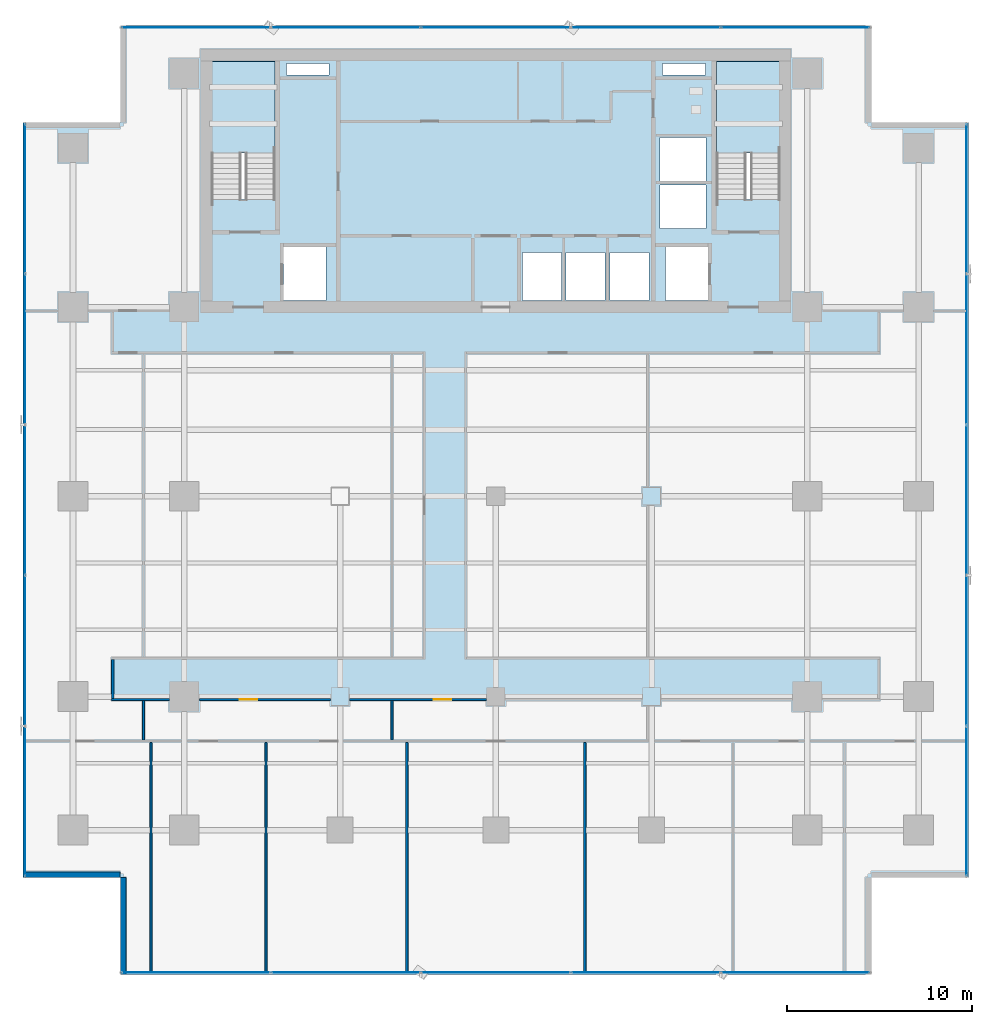
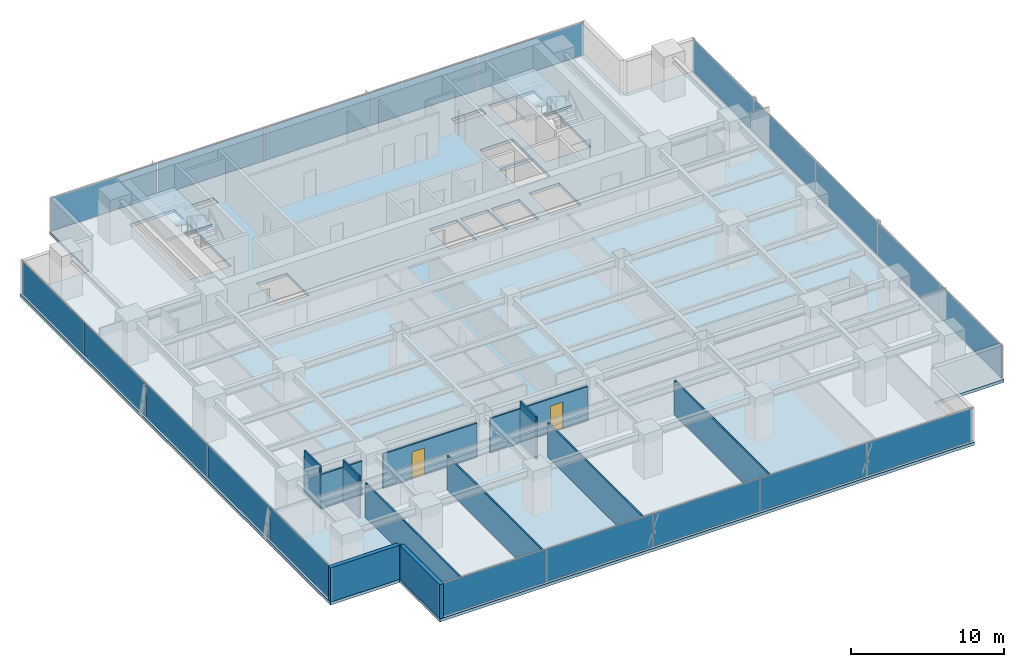
# One storey, part 27 of 37: 20 plates, 12 walls, 3 slabs, 2 doors, 2 openings, 6 elements without a shape of their own.
"""IFC4 building model written with IfcOpenShell, lengths in metres."""

from ifc_helpers import new_model, si_unit, direction, frame, frame_2d, origin, origin_2d, place, context, subcontext, project, spatial, polyline, rectangle, outline, extrude, source, transform, mapped, material, layer, layer_set, type_object, element, fill, aggregate, save


model = new_model("IFC4")

# Units and contexts
model_context = context("Model", 3, precision=1e-05, world=origin(), true_north=direction((0.0, 1.0)))
body_context = subcontext(model_context, "Body", "Model", "MODEL_VIEW")
ifc_project = project(units=[si_unit("LENGTHUNIT", "METRE"), si_unit("AREAUNIT", "SQUARE_METRE"), si_unit("VOLUMEUNIT", "CUBIC_METRE"), si_unit("PLANEANGLEUNIT", "RADIAN"), si_unit("MASSUNIT", "GRAM", prefix="KILO")], contexts=[model_context])

# Site, building, storey
site_placement = place(None, origin())
site = spatial("IfcSite", under=ifc_project, at=site_placement, CompositionType="ELEMENT")
building_placement = place(site_placement, origin())
building = spatial("IfcBuilding", under=site, at=building_placement, Name="Sumidabori Civic Tower", CompositionType="ELEMENT")
storey_placement = place(building_placement, frame((0.0, 0.0, 88.39990234375)))
storey = spatial("IfcBuildingStorey", under=building, at=storey_placement, Name="L22", CompositionType="ELEMENT", Elevation=88.39990234375)

# Stair, slab
ifc_material_1 = material(Name="Concrete C40/50", Category="concrete")
stair_type = type_object("IfcStairType", Name="ST-CORE-1600", PredefinedType="HALF_TURN_STAIR", material=ifc_material_1)
stair_1_placement = place(storey_placement, origin())
stair_1 = element("IfcStair", 1, at=stair_1_placement, inside=storey, type_object=stair_type, Name="L22 ST-1", PredefinedType="HALF_TURN_STAIR")
ifc_layer_1 = layer(ifc_material_1, 0.199951171875, Name="Concrete C40/50")
ifc_layer_set_1 = layer_set([ifc_layer_1], Name="Concrete C40/50")
slab_type_1 = type_object("IfcSlabType", Name="SL-LAND-200", PredefinedType="LANDING", material=ifc_layer_set_1)
slab_1_placement = place(storey_placement, frame((0.0, 0.0, 1.60009765625)))
slab_1 = element("IfcSlab", 2, at=slab_1_placement, type_object=slab_type_1, Name="ST-1 landing 1", PredefinedType="LANDING", context=body_context, shape_type="SweptSolid", body=[
    extrude(outline(polyline([(-11.89990234375, 18.52001953125), (-11.89990234375, 23.449951171875), (-15.340087890625, 23.449951171875), (-15.340087890625, 18.52001953125), (-11.89990234375, 18.52001953125)])), origin(), (0.0, 0.0, 1.0), 0.199951171875),
])
aggregate(stair_1, [slab_1])

stair_2_placement = place(storey_placement, origin())
stair_2 = element("IfcStair", 3, at=stair_2_placement, inside=storey, type_object=stair_type, Name="L22 ST-2", PredefinedType="HALF_TURN_STAIR")
slab_2_placement = place(storey_placement, frame((0.0, 0.0, 1.60009765625)))
slab_2 = element("IfcSlab", 4, at=slab_2_placement, type_object=slab_type_1, Name="ST-2 landing 1", PredefinedType="LANDING", context=body_context, shape_type="SweptSolid", body=[
    extrude(outline(polyline([(15.340087890625, 18.52001953125), (15.340087890625, 23.449951171875), (11.89990234375, 23.449951171875), (11.89990234375, 18.52001953125), (15.340087890625, 18.52001953125)])), origin(), (0.0, 0.0, 1.0), 0.199951171875),
])
aggregate(stair_2, [slab_2])

# Slab
ifc_layer_2 = layer(ifc_material_1, 0.239990234375, Name="Concrete C40/50")
ifc_layer_set_2 = layer_set([ifc_layer_2], Name="Concrete C40/50")
slab_type_2 = type_object("IfcSlabType", Name="SL-Z1-240", PredefinedType="FLOOR", material=ifc_layer_set_2)
slab_3_placement = place(storey_placement, frame((0.0, 0.0, -0.239990234375)))
element("IfcSlab", 5, at=slab_3_placement, inside=storey, type_object=slab_type_2, Name="Structural Slab L22", PredefinedType="FLOOR", context=body_context, shape_type="SweptSolid", body=[
    extrude(outline(polyline([(-20.25, -25.800048828125), (20.25, -25.800048828125), (20.25, -20.550048828125), (25.5, -20.550048828125), (25.5, 20.14990234375), (20.25, 20.14990234375), (20.25, 25.39990234375), (-20.25, 25.39990234375), (-20.25, 20.14990234375), (-25.5, 20.14990234375), (-25.5, -20.550048828125), (-20.25, -20.550048828125), (-20.25, -25.800048828125)]), holes=[polyline([(-11.89990234375, 16.0), (-11.89990234375, 23.449951171875), (-15.340087890625, 23.449951171875), (-15.340087890625, 16.0), (-11.89990234375, 16.0)]), polyline([(15.340087890625, 16.0), (15.340087890625, 23.449951171875), (11.89990234375, 23.449951171875), (11.89990234375, 16.0), (15.340087890625, 16.0)]), polyline([(-11.449951171875, 10.550048828125), (-9.14990234375, 10.550048828125), (-9.14990234375, 13.449951171875), (-11.449951171875, 13.449951171875), (-11.449951171875, 10.550048828125)]), polyline([(9.14990234375, 10.550048828125), (11.449951171875, 10.550048828125), (11.449951171875, 13.449951171875), (9.14990234375, 13.449951171875), (9.14990234375, 10.550048828125)]), polyline([(1.449951171875, 10.550048828125), (3.550048828125, 10.550048828125), (3.550048828125, 13.14990234375), (1.449951171875, 13.14990234375), (1.449951171875, 10.550048828125)]), polyline([(3.800048828125, 10.550048828125), (5.89990234375, 10.550048828125), (5.89990234375, 13.14990234375), (3.800048828125, 13.14990234375), (3.800048828125, 10.550048828125)]), polyline([(6.14990234375, 10.550048828125), (8.25, 10.550048828125), (8.25, 13.14990234375), (6.14990234375, 13.14990234375), (6.14990234375, 10.550048828125)]), polyline([(8.85009765625, 14.449951171875), (11.35009765625, 14.449951171875), (11.35009765625, 16.800048828125), (8.85009765625, 16.800048828125), (8.85009765625, 14.449951171875)]), polyline([(8.85009765625, 17.0), (11.35009765625, 17.0), (11.35009765625, 19.35009765625), (8.85009765625, 19.35009765625), (8.85009765625, 17.0)]), polyline([(-11.300048828125, 22.719970703125), (-9.0, 22.719970703125), (-9.0, 23.35009765625), (-11.300048828125, 23.35009765625), (-11.300048828125, 22.719970703125)]), polyline([(9.0, 22.719970703125), (11.300048828125, 22.719970703125), (11.300048828125, 23.35009765625), (9.0, 23.35009765625), (9.0, 22.719970703125)])]), origin(), (0.0, 0.0, 1.0), 0.239990234375),
])

# Curtain wall, plates
ifc_material_2 = material(Name="Anodised Bronze Aluminium AW-6063-T6", Category="aluminium")
ifc_layer_3 = layer(ifc_material_2, 0.179931640625, Name="Anodised Bronze Aluminium AW-6063-T6")
ifc_layer_set_3 = layer_set([ifc_layer_3], Name="Anodised Bronze Aluminium AW-6063-T6")
curtain_wall_type = type_object("IfcCurtainWallType", Name="CW-SYS-3", PredefinedType="NOTDEFINED", material=ifc_layer_set_3)
curtain_wall_1_placement = place(storey_placement, origin())
curtain_wall_1 = element("IfcCurtainWall", 6, at=curtain_wall_1_placement, inside=storey, type_object=curtain_wall_type, Name="Curtain Wall CW:L22:R01", PredefinedType="NOTDEFINED")
ifc_material_3 = material(Name="Low-E Solar-Control Vision Glazing", Category="glass")
ifc_layer_4 = layer(ifc_material_3, 0.028076171875, Name="Low-E Solar-Control Vision Glazing")
ifc_layer_set_4 = layer_set([ifc_layer_4], Name="Low-E Solar-Control Vision Glazing")
plate_type = type_object("IfcPlateType", Name="CW-PNL-28", PredefinedType="CURTAIN_PANEL", material=ifc_layer_set_4)
shared_shape_1 = source(origin(), body_context, "Body", "SweptSolid", [
    extrude(rectangle(XDim=7.990478515625, YDim=0.028076171875, at=origin_2d()), origin(), (0.0, 0.0, 1.0), 2.6201171875),
])
plate_1_placement = place(storey_placement, frame((-16.15966796875, -25.679931640625, 0.06005859375), z_axis=(0.0, 0.0, 1.0), x_axis=(1.0, 0.0, 0.0)))
plate_1 = element("IfcPlate", 7, at=plate_1_placement, type_object=plate_type, Name="CW-3 panel 1.1", PredefinedType="CURTAIN_PANEL", context=body_context, shape_type="MappedRepresentation", body=[
    mapped(shared_shape_1, transform((0.0, 0.0, 0.0), x_axis=(1.0, 0.0, 0.0), y_axis=(0.0, 1.0, 0.0), z_axis=(0.0, 0.0, 1.0), scale=1.0)),
])
plate_2_placement = place(storey_placement, frame((16.15966796875, -25.679931640625, 0.06005859375), z_axis=(0.0, 0.0, 1.0), x_axis=(1.0, 0.0, 0.0)))
plate_2 = element("IfcPlate", 8, at=plate_2_placement, type_object=plate_type, Name="CW-3 panel 5.1", PredefinedType="CURTAIN_PANEL", context=body_context, shape_type="MappedRepresentation", body=[
    mapped(shared_shape_1, transform((0.0, 0.0, 0.0), x_axis=(1.0, 0.0, 0.0), y_axis=(0.0, 1.0, 0.0), z_axis=(0.0, 0.0, 1.0), scale=1.0)),
])

curtain_wall_2_placement = place(storey_placement, origin())
curtain_wall_2 = element("IfcCurtainWall", 9, at=curtain_wall_2_placement, inside=storey, type_object=curtain_wall_type, Name="Curtain Wall CW:L22:R07", PredefinedType="NOTDEFINED")
plate_3_placement = place(storey_placement, frame((16.15966796875, 25.280029296875, 0.06005859375), z_axis=(0.0, 0.0, 1.0), x_axis=(-1.0, 0.0, 0.0)))
plate_3 = element("IfcPlate", 10, at=plate_3_placement, type_object=plate_type, Name="CW-3 panel 1.1", PredefinedType="CURTAIN_PANEL", context=body_context, shape_type="MappedRepresentation", body=[
    mapped(shared_shape_1, transform((0.0, 0.0, 0.0), x_axis=(1.0, 0.0, 0.0), y_axis=(0.0, 1.0, 0.0), z_axis=(0.0, 0.0, 1.0), scale=1.0)),
])
plate_4_placement = place(storey_placement, frame((-16.15966796875, 25.280029296875, 0.06005859375), z_axis=(0.0, 0.0, 1.0), x_axis=(-1.0, 0.0, 0.0)))
plate_4 = element("IfcPlate", 11, at=plate_4_placement, type_object=plate_type, Name="CW-3 panel 5.1", PredefinedType="CURTAIN_PANEL", context=body_context, shape_type="MappedRepresentation", body=[
    mapped(shared_shape_1, transform((0.0, 0.0, 0.0), x_axis=(1.0, 0.0, 0.0), y_axis=(0.0, 1.0, 0.0), z_axis=(0.0, 0.0, 1.0), scale=1.0)),
])

# Plate
shared_shape_2 = source(origin(), body_context, "Body", "SweptSolid", [
    extrude(rectangle(XDim=8.02294921875, YDim=0.028076171875, at=origin_2d()), origin(), (0.0, 0.0, 1.0), 2.6201171875),
])
plate_5_placement = place(storey_placement, frame((-8.087890625, -25.679931640625, 0.06005859375), z_axis=(0.0, 0.0, 1.0), x_axis=(1.0, 0.0, 0.0)))
plate_5 = element("IfcPlate", 12, at=plate_5_placement, type_object=plate_type, Name="CW-3 panel 2.1", PredefinedType="CURTAIN_PANEL", context=body_context, shape_type="MappedRepresentation", body=[
    mapped(shared_shape_2, transform((0.0, 0.0, 0.0), x_axis=(1.0, 0.0, 0.0), y_axis=(0.0, 1.0, 0.0), z_axis=(0.0, 0.0, 1.0), scale=1.0)),
])

plate_6_placement = place(storey_placement, frame((0.0, -25.679931640625, 0.06005859375), z_axis=(0.0, 0.0, 1.0), x_axis=(1.0, 0.0, 0.0)))
plate_6 = element("IfcPlate", 13, at=plate_6_placement, type_object=plate_type, Name="CW-3 panel 3.1", PredefinedType="CURTAIN_PANEL", context=body_context, shape_type="MappedRepresentation", body=[
    mapped(shared_shape_2, transform((0.0, 0.0, 0.0), x_axis=(1.0, 0.0, 0.0), y_axis=(0.0, 1.0, 0.0), z_axis=(0.0, 0.0, 1.0), scale=1.0)),
])

plate_7_placement = place(storey_placement, frame((8.087890625, -25.679931640625, 0.06005859375), z_axis=(0.0, 0.0, 1.0), x_axis=(1.0, 0.0, 0.0)))
plate_7 = element("IfcPlate", 14, at=plate_7_placement, type_object=plate_type, Name="CW-3 panel 4.1", PredefinedType="CURTAIN_PANEL", context=body_context, shape_type="MappedRepresentation", body=[
    mapped(shared_shape_2, transform((0.0, 0.0, 0.0), x_axis=(1.0, 0.0, 0.0), y_axis=(0.0, 1.0, 0.0), z_axis=(0.0, 0.0, 1.0), scale=1.0)),
])

aggregate(curtain_wall_1, [plate_1, plate_5, plate_6, plate_7, plate_2])

plate_8_placement = place(storey_placement, frame((8.087890625, 25.280029296875, 0.06005859375), z_axis=(0.0, 0.0, 1.0), x_axis=(-1.0, 0.0, 0.0)))
plate_8 = element("IfcPlate", 15, at=plate_8_placement, type_object=plate_type, Name="CW-3 panel 2.1", PredefinedType="CURTAIN_PANEL", context=body_context, shape_type="MappedRepresentation", body=[
    mapped(shared_shape_2, transform((0.0, 0.0, 0.0), x_axis=(1.0, 0.0, 0.0), y_axis=(0.0, 1.0, 0.0), z_axis=(0.0, 0.0, 1.0), scale=1.0)),
])

plate_9_placement = place(storey_placement, frame((0.0, 25.280029296875, 0.06005859375), z_axis=(0.0, 0.0, 1.0), x_axis=(-1.0, 0.0, 0.0)))
plate_9 = element("IfcPlate", 16, at=plate_9_placement, type_object=plate_type, Name="CW-3 panel 3.1", PredefinedType="CURTAIN_PANEL", context=body_context, shape_type="MappedRepresentation", body=[
    mapped(shared_shape_2, transform((0.0, 0.0, 0.0), x_axis=(1.0, 0.0, 0.0), y_axis=(0.0, 1.0, 0.0), z_axis=(0.0, 0.0, 1.0), scale=1.0)),
])

plate_10_placement = place(storey_placement, frame((-8.087890625, 25.280029296875, 0.06005859375), z_axis=(0.0, 0.0, 1.0), x_axis=(-1.0, 0.0, 0.0)))
plate_10 = element("IfcPlate", 17, at=plate_10_placement, type_object=plate_type, Name="CW-3 panel 4.1", PredefinedType="CURTAIN_PANEL", context=body_context, shape_type="MappedRepresentation", body=[
    mapped(shared_shape_2, transform((0.0, 0.0, 0.0), x_axis=(1.0, 0.0, 0.0), y_axis=(0.0, 1.0, 0.0), z_axis=(0.0, 0.0, 1.0), scale=1.0)),
])

aggregate(curtain_wall_2, [plate_3, plate_8, plate_9, plate_10, plate_4])

# Curtain wall, plates
curtain_wall_3_placement = place(storey_placement, origin())
curtain_wall_3 = element("IfcCurtainWall", 18, at=curtain_wall_3_placement, inside=storey, type_object=curtain_wall_type, Name="Curtain Wall CW:L22:R04", PredefinedType="NOTDEFINED")
shared_shape_3 = source(origin(), body_context, "Body", "SweptSolid", [
    extrude(rectangle(XDim=8.030517578125, YDim=0.028076171875, at=origin_2d()), origin(), (0.0, 0.0, 1.0), 2.6201171875),
])
plate_11_placement = place(storey_placement, frame((25.3798828125, -16.439697265625, 0.06005859375), z_axis=(0.0, 0.0, 1.0), x_axis=(0.0, 1.0, 0.0)))
plate_11 = element("IfcPlate", 19, at=plate_11_placement, type_object=plate_type, Name="CW-3 panel 1.1", PredefinedType="CURTAIN_PANEL", context=body_context, shape_type="MappedRepresentation", body=[
    mapped(shared_shape_3, transform((0.0, 0.0, 0.0), x_axis=(1.0, 0.0, 0.0), y_axis=(0.0, 1.0, 0.0), z_axis=(0.0, 0.0, 1.0), scale=1.0)),
])
plate_12_placement = place(storey_placement, frame((25.3798828125, 16.039794921875, 0.06005859375), z_axis=(0.0, 0.0, 1.0), x_axis=(0.0, 1.0, 0.0)))
plate_12 = element("IfcPlate", 20, at=plate_12_placement, type_object=plate_type, Name="CW-3 panel 5.1", PredefinedType="CURTAIN_PANEL", context=body_context, shape_type="MappedRepresentation", body=[
    mapped(shared_shape_3, transform((0.0, 0.0, 0.0), x_axis=(1.0, 0.0, 0.0), y_axis=(0.0, 1.0, 0.0), z_axis=(0.0, 0.0, 1.0), scale=1.0)),
])

curtain_wall_4_placement = place(storey_placement, origin())
curtain_wall_4 = element("IfcCurtainWall", 21, at=curtain_wall_4_placement, inside=storey, type_object=curtain_wall_type, Name="Curtain Wall CW:L22:R10", PredefinedType="NOTDEFINED")
plate_13_placement = place(storey_placement, frame((-25.3798828125, 16.039794921875, 0.06005859375), z_axis=(0.0, 0.0, 1.0), x_axis=(0.0, -1.0, 0.0)))
plate_13 = element("IfcPlate", 22, at=plate_13_placement, type_object=plate_type, Name="CW-3 panel 1.1", PredefinedType="CURTAIN_PANEL", context=body_context, shape_type="MappedRepresentation", body=[
    mapped(shared_shape_3, transform((0.0, 0.0, 0.0), x_axis=(1.0, 0.0, 0.0), y_axis=(0.0, 1.0, 0.0), z_axis=(0.0, 0.0, 1.0), scale=1.0)),
])
plate_14_placement = place(storey_placement, frame((-25.3798828125, -16.439697265625, 0.06005859375), z_axis=(0.0, 0.0, 1.0), x_axis=(0.0, -1.0, 0.0)))
plate_14 = element("IfcPlate", 23, at=plate_14_placement, type_object=plate_type, Name="CW-3 panel 5.1", PredefinedType="CURTAIN_PANEL", context=body_context, shape_type="MappedRepresentation", body=[
    mapped(shared_shape_3, transform((0.0, 0.0, 0.0), x_axis=(1.0, 0.0, 0.0), y_axis=(0.0, 1.0, 0.0), z_axis=(0.0, 0.0, 1.0), scale=1.0)),
])

# Plate
shared_shape_4 = source(origin(), body_context, "Body", "SweptSolid", [
    extrude(rectangle(XDim=8.06298828125, YDim=0.028076171875, at=origin_2d()), origin(), (0.0, 0.0, 1.0), 2.6201171875),
])
plate_15_placement = place(storey_placement, frame((25.3798828125, -8.327880859375, 0.06005859375), z_axis=(0.0, 0.0, 1.0), x_axis=(0.0, 1.0, 0.0)))
plate_15 = element("IfcPlate", 24, at=plate_15_placement, type_object=plate_type, Name="CW-3 panel 2.1", PredefinedType="CURTAIN_PANEL", context=body_context, shape_type="MappedRepresentation", body=[
    mapped(shared_shape_4, transform((0.0, 0.0, 0.0), x_axis=(1.0, 0.0, 0.0), y_axis=(0.0, 1.0, 0.0), z_axis=(0.0, 0.0, 1.0), scale=1.0)),
])

plate_16_placement = place(storey_placement, frame((25.3798828125, -0.199951171875, 0.06005859375), z_axis=(0.0, 0.0, 1.0), x_axis=(0.0, 1.0, 0.0)))
plate_16 = element("IfcPlate", 25, at=plate_16_placement, type_object=plate_type, Name="CW-3 panel 3.1", PredefinedType="CURTAIN_PANEL", context=body_context, shape_type="MappedRepresentation", body=[
    mapped(shared_shape_4, transform((0.0, 0.0, 0.0), x_axis=(1.0, 0.0, 0.0), y_axis=(0.0, 1.0, 0.0), z_axis=(0.0, 0.0, 1.0), scale=1.0)),
])

plate_17_placement = place(storey_placement, frame((25.3798828125, 7.927978515625, 0.06005859375), z_axis=(0.0, 0.0, 1.0), x_axis=(0.0, 1.0, 0.0)))
plate_17 = element("IfcPlate", 26, at=plate_17_placement, type_object=plate_type, Name="CW-3 panel 4.1", PredefinedType="CURTAIN_PANEL", context=body_context, shape_type="MappedRepresentation", body=[
    mapped(shared_shape_4, transform((0.0, 0.0, 0.0), x_axis=(1.0, 0.0, 0.0), y_axis=(0.0, 1.0, 0.0), z_axis=(0.0, 0.0, 1.0), scale=1.0)),
])

aggregate(curtain_wall_3, [plate_11, plate_15, plate_16, plate_17, plate_12])

plate_18_placement = place(storey_placement, frame((-25.3798828125, 7.927978515625, 0.06005859375), z_axis=(0.0, 0.0, 1.0), x_axis=(0.0, -1.0, 0.0)))
plate_18 = element("IfcPlate", 27, at=plate_18_placement, type_object=plate_type, Name="CW-3 panel 2.1", PredefinedType="CURTAIN_PANEL", context=body_context, shape_type="MappedRepresentation", body=[
    mapped(shared_shape_4, transform((0.0, 0.0, 0.0), x_axis=(1.0, 0.0, 0.0), y_axis=(0.0, 1.0, 0.0), z_axis=(0.0, 0.0, 1.0), scale=1.0)),
])

plate_19_placement = place(storey_placement, frame((-25.3798828125, -0.199951171875, 0.06005859375), z_axis=(0.0, 0.0, 1.0), x_axis=(0.0, -1.0, 0.0)))
plate_19 = element("IfcPlate", 28, at=plate_19_placement, type_object=plate_type, Name="CW-3 panel 3.1", PredefinedType="CURTAIN_PANEL", context=body_context, shape_type="MappedRepresentation", body=[
    mapped(shared_shape_4, transform((0.0, 0.0, 0.0), x_axis=(1.0, 0.0, 0.0), y_axis=(0.0, 1.0, 0.0), z_axis=(0.0, 0.0, 1.0), scale=1.0)),
])

plate_20_placement = place(storey_placement, frame((-25.3798828125, -8.327880859375, 0.06005859375), z_axis=(0.0, 0.0, 1.0), x_axis=(0.0, -1.0, 0.0)))
plate_20 = element("IfcPlate", 29, at=plate_20_placement, type_object=plate_type, Name="CW-3 panel 4.1", PredefinedType="CURTAIN_PANEL", context=body_context, shape_type="MappedRepresentation", body=[
    mapped(shared_shape_4, transform((0.0, 0.0, 0.0), x_axis=(1.0, 0.0, 0.0), y_axis=(0.0, 1.0, 0.0), z_axis=(0.0, 0.0, 1.0), scale=1.0)),
])

aggregate(curtain_wall_4, [plate_13, plate_18, plate_19, plate_20, plate_14])

# Walls
ifc_material_4 = material(Name="Precast concrete C40/50", Category="concrete")
ifc_layer_5 = layer(ifc_material_4, 0.300048828125, Name="Precast concrete C40/50")
ifc_layer_set_5 = layer_set([ifc_layer_5], Name="Precast concrete C40/50")
wall_type_1 = type_object("IfcWallType", Name="WL-EXT-POD300", PredefinedType="STANDARD", material=ifc_layer_set_5)
shared_shape_5 = source(origin(), body_context, "Body", "SweptSolid", [
    extrude(rectangle(XDim=5.2099609375, YDim=0.300048828125, at=frame_2d((2.60498046875, 0.0))), origin(), (0.0, 0.0, 1.0), 2.739990234375),
])
for number, where, z_axis, x_axis, name in (
    (30, (-25.47998046875, -20.39990234375, 0.0), (0.0, 0.0, 1.0), (1.0, 0.0, 0.0), "Notched Corner Spandrel Band L22-11"),
    (31, (-20.10009765625, -20.570068359375, 0.0), (0.0, 0.0, 1.0), (0.0, -1.0, 0.0), "Notched Corner Spandrel Band L22-12"),
):
    element("IfcWall", number, at=place(storey_placement, frame(where, z_axis=z_axis, x_axis=x_axis)), inside=storey, type_object=wall_type_1, Name=name, PredefinedType="STANDARD", context=body_context, shape_type="MappedRepresentation", body=[
        mapped(shared_shape_5, transform((0.0, 0.0, 0.0), x_axis=(1.0, 0.0, 0.0), y_axis=(0.0, 1.0, 0.0), z_axis=(0.0, 0.0, 1.0), scale=1.0)),
    ])
ifc_material_5 = material(Name="Gypsum Plasterboard Acoustic Partition")
ifc_layer_6 = layer(ifc_material_5, 0.1201171875, Name="Gypsum Plasterboard Acoustic Partition")
ifc_layer_set_6 = layer_set([ifc_layer_6], Name="Gypsum Plasterboard Acoustic Partition")
wall_type_2 = type_object("IfcWallType", Name="WL-PART-120", PredefinedType="PARTITIONING", material=ifc_layer_set_6)
shared_shape_6 = source(origin(), body_context, "Body", "SweptSolid", [
    extrude(rectangle(XDim=3.10986328125, YDim=0.1201171875, at=frame_2d((1.554931640625, 0.0))), origin(), (0.0, 0.0, 1.0), 2.7451171875),
])
wall_1_placement = place(storey_placement, frame((-20.719970703125, -10.9599609375, 0.0), z_axis=(0.0, 0.0, 1.0), x_axis=(1.0, 0.0, 0.0)))
element("IfcWall", 32, at=wall_1_placement, inside=storey, type_object=wall_type_2, Name="Interior Partition WL:L22:CORR-SS-1", PredefinedType="PARTITIONING", context=body_context, shape_type="MappedRepresentation", body=[
    mapped(shared_shape_6, transform((0.0, 0.0, 0.0), x_axis=(1.0, 0.0, 0.0), y_axis=(0.0, 1.0, 0.0), z_axis=(0.0, 0.0, 1.0), scale=1.0)),
])

# Wall, opening, door
shared_shape_7 = source(origin(), body_context, "Body", "SweptSolid", [
    extrude(rectangle(XDim=7.080078125, YDim=0.1201171875, at=frame_2d((3.5400390625, 0.0))), origin(), (0.0, 0.0, 1.0), 2.7451171875),
])
wall_2_placement = place(storey_placement, frame((-15.989990234375, -10.9599609375, 0.0), z_axis=(0.0, 0.0, 1.0), x_axis=(1.0, 0.0, 0.0)))
wall_2 = element("IfcWall", 33, at=wall_2_placement, inside=storey, type_object=wall_type_2, Name="Interior Partition WL:L22:CORR-SS-2", PredefinedType="PARTITIONING", context=body_context, shape_type="MappedRepresentation", body=[
    mapped(shared_shape_7, transform((0.0, 0.0, 0.0), x_axis=(1.0, 0.0, 0.0), y_axis=(0.0, 1.0, 0.0), z_axis=(0.0, 0.0, 1.0), scale=1.0)),
])
opening_1_placement = place(wall_2_placement, frame((2.18505859375, 0.0, 0.0)))
opening_1 = element("IfcOpeningElement", 34, at=opening_1_placement, cuts=wall_2, Name="Opening DR-2", PredefinedType="OPENING", context=body_context, shape_type="SweptSolid", body=[
    extrude(rectangle(XDim=0.949951171875, YDim=2.14990234375, at=frame_2d((0.47509765625, 1.074951171875))), frame((0.0, 0.072021484375, 0.0), z_axis=(0.0, -1.0, 0.0), x_axis=(1.0, 0.0, 0.0)), (0.0, 0.0, 1.0), 0.14404296875),
])
ifc_material_6 = material(Name="Japanese Hinoki Timber", Category="wood")
door_type = type_object("IfcDoorType", Name="DR-INT-950", OperationType="NOTDEFINED", PredefinedType="DOOR", material=ifc_material_6)
shared_shape_8 = source(origin(), body_context, "Body", "SweptSolid", [
    extrude(rectangle(XDim=0.949951171875, YDim=2.14990234375, at=frame_2d((0.47509765625, 1.074951171875))), frame((0.0, 0.02490234375, 0.0), z_axis=(0.0, -1.0, 0.0), x_axis=(1.0, 0.0, 0.0)), (0.0, 0.0, 1.0), 0.050048828125),
])
door_1_placement = place(opening_1_placement, origin())
door_1 = element("IfcDoor", 35, at=door_1_placement, inside=storey, type_object=door_type, Name="Door DR:L22:D07", OperationType="SINGLE_SWING_LEFT", OverallHeight=2.14990234375, OverallWidth=0.949951171875, PredefinedType="DOOR", context=body_context, shape_type="MappedRepresentation", body=[
    mapped(shared_shape_8, transform((0.0, 0.0, 0.0), x_axis=(1.0, 0.0, 0.0), y_axis=(0.0, 1.0, 0.0), z_axis=(0.0, 0.0, 1.0), scale=1.0)),
])
fill(opening_1, door_1)

shared_shape_9 = source(origin(), body_context, "Body", "SweptSolid", [
    extrude(rectangle(XDim=7.3798828125, YDim=0.1201171875, at=frame_2d((3.68994140625, 0.0))), origin(), (0.0, 0.0, 1.0), 2.7451171875),
])
wall_3_placement = place(storey_placement, frame((-7.889892578125, -10.9599609375, 0.0), z_axis=(0.0, 0.0, 1.0), x_axis=(1.0, 0.0, 0.0)))
wall_3 = element("IfcWall", 36, at=wall_3_placement, inside=storey, type_object=wall_type_2, Name="Interior Partition WL:L22:CORR-SS-3", PredefinedType="PARTITIONING", context=body_context, shape_type="MappedRepresentation", body=[
    mapped(shared_shape_9, transform((0.0, 0.0, 0.0), x_axis=(1.0, 0.0, 0.0), y_axis=(0.0, 1.0, 0.0), z_axis=(0.0, 0.0, 1.0), scale=1.0)),
])
opening_2_placement = place(wall_3_placement, frame((4.550048828125, 0.0, 0.0)))
opening_2 = element("IfcOpeningElement", 37, at=opening_2_placement, cuts=wall_3, Name="Opening DR-2", PredefinedType="OPENING", context=body_context, shape_type="SweptSolid", body=[
    extrude(rectangle(XDim=0.949951171875, YDim=2.14990234375, at=frame_2d((0.47509765625, 1.074951171875))), frame((0.0, 0.072021484375, 0.0), z_axis=(0.0, -1.0, 0.0), x_axis=(1.0, 0.0, 0.0)), (0.0, 0.0, 1.0), 0.14404296875),
])
door_2_placement = place(opening_2_placement, origin())
door_2 = element("IfcDoor", 38, at=door_2_placement, inside=storey, type_object=door_type, Name="Door DR:L22:D08", OperationType="SINGLE_SWING_RIGHT", OverallHeight=2.14990234375, OverallWidth=0.949951171875, PredefinedType="DOOR", context=body_context, shape_type="MappedRepresentation", body=[
    mapped(shared_shape_8, transform((0.0, 0.0, 0.0), x_axis=(1.0, 0.0, 0.0), y_axis=(0.0, 1.0, 0.0), z_axis=(0.0, 0.0, 1.0), scale=1.0)),
])
fill(opening_2, door_2)

# Walls
shared_shape_10 = source(origin(), body_context, "Body", "SweptSolid", [
    extrude(rectangle(XDim=2.090087890625, YDim=0.1201171875, at=frame_2d((1.044921875, 0.0))), origin(), (0.0, 0.0, 1.0), 3.360107421875),
])
wall_4_placement = place(storey_placement, frame((-20.659912109375, -10.89501953125, 0.0), z_axis=(0.0, 0.0, 1.0), x_axis=(0.0, 1.0, 0.0)))
element("IfcWall", 39, at=wall_4_placement, inside=storey, type_object=wall_type_2, Name="Interior Partition WL:L22:CORR-VSW", PredefinedType="PARTITIONING", context=body_context, shape_type="MappedRepresentation", body=[
    mapped(shared_shape_10, transform((0.0, 0.0, 0.0), x_axis=(1.0, 0.0, 0.0), y_axis=(0.0, 1.0, 0.0), z_axis=(0.0, 0.0, 1.0), scale=1.0)),
])
shared_shape_11 = source(origin(), body_context, "Body", "SweptSolid", [
    extrude(rectangle(XDim=2.110107421875, YDim=0.1201171875, at=frame_2d((1.05517578125, 0.0))), origin(), (0.0, 0.0, 1.0), 3.360107421875),
])
for number, where, z_axis, x_axis, name in (
    (40, (-19.0, -13.135009765625, 0.0), (0.0, 0.0, 1.0), (0.0, 1.0, 0.0), "Interior Partition WL:L22:VX-N1-1"),
    (41, (-5.60009765625, -13.135009765625, 0.0), (0.0, 0.0, 1.0), (0.0, 1.0, 0.0), "Interior Partition WL:L22:VX-N2-1"),
):
    element("IfcWall", number, at=place(storey_placement, frame(where, z_axis=z_axis, x_axis=x_axis)), inside=storey, type_object=wall_type_2, Name=name, PredefinedType="PARTITIONING", context=body_context, shape_type="MappedRepresentation", body=[
        mapped(shared_shape_11, transform((0.0, 0.0, 0.0), x_axis=(1.0, 0.0, 0.0), y_axis=(0.0, 1.0, 0.0), z_axis=(0.0, 0.0, 1.0), scale=1.0)),
    ])
shared_shape_12 = source(origin(), body_context, "Body", "SweptSolid", [
    extrude(rectangle(XDim=12.385009765625, YDim=0.1201171875, at=frame_2d((6.1923828125, 0.0))), origin(), (0.0, 0.0, 1.0), 2.7451171875),
])
for number, where, z_axis, x_axis, name in (
    (42, (-18.60009765625, -25.64990234375, 0.0), (0.0, 0.0, 1.0), (0.0, 1.0, 0.0), "Interior Partition WL:L22:VX-S1"),
    (43, (-12.39990234375, -25.64990234375, 0.0), (0.0, 0.0, 1.0), (0.0, 1.0, 0.0), "Interior Partition WL:L22:VX-S2"),
    (44, (-4.800048828125, -25.64990234375, 0.0), (0.0, 0.0, 1.0), (0.0, 1.0, 0.0), "Interior Partition WL:L22:VX-S3"),
    (45, (4.800048828125, -25.64990234375, 0.0), (0.0, 0.0, 1.0), (0.0, 1.0, 0.0), "Interior Partition WL:L22:VX-S4"),
):
    element("IfcWall", number, at=place(storey_placement, frame(where, z_axis=z_axis, x_axis=x_axis)), inside=storey, type_object=wall_type_2, Name=name, PredefinedType="PARTITIONING", context=body_context, shape_type="MappedRepresentation", body=[
        mapped(shared_shape_12, transform((0.0, 0.0, 0.0), x_axis=(1.0, 0.0, 0.0), y_axis=(0.0, 1.0, 0.0), z_axis=(0.0, 0.0, 1.0), scale=1.0)),
    ])

save(model, "model.ifc")
